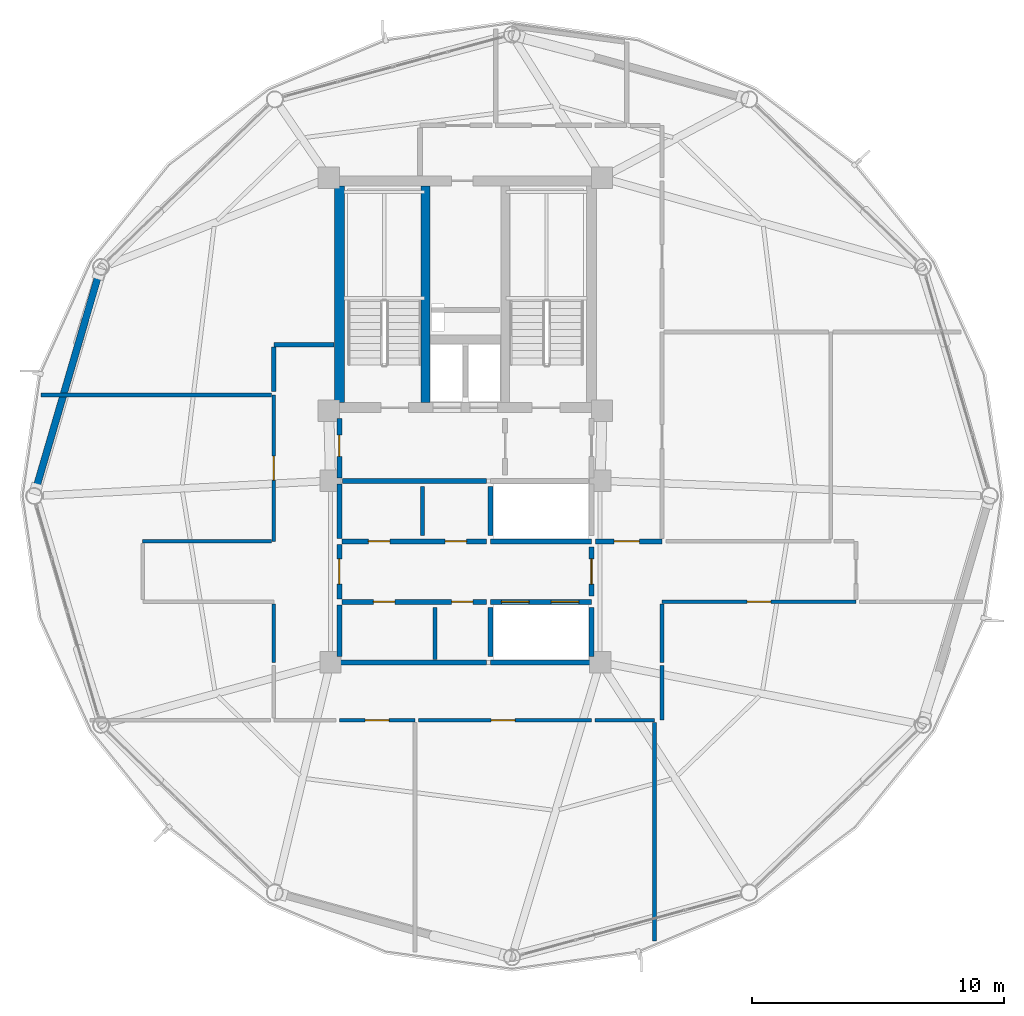
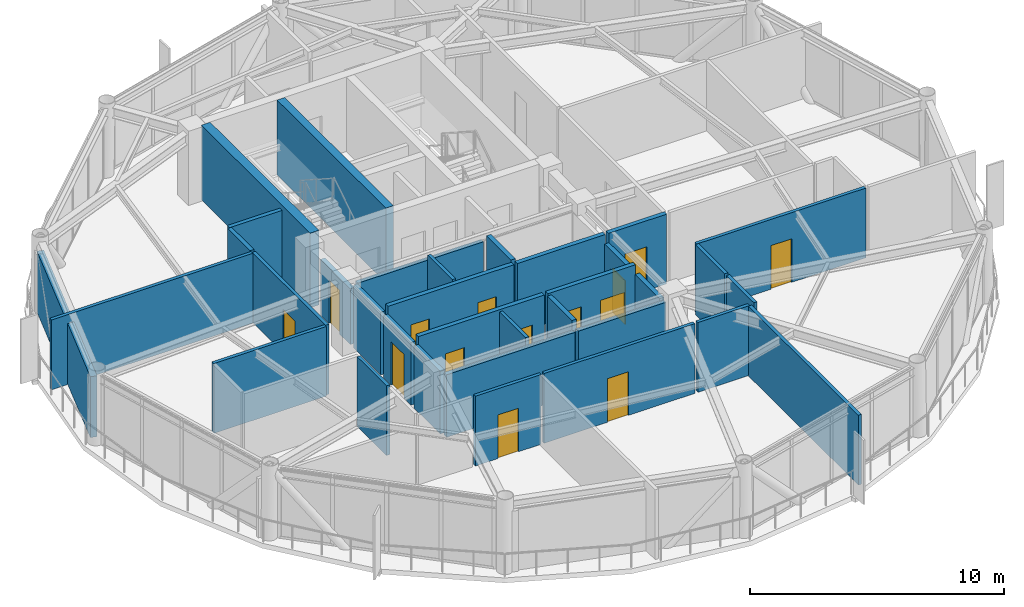
# One storey, part 21 of 26: 34 walls, 14 doors, 14 openings.
"""IFC4 building model written with IfcOpenShell, lengths in metres."""

from ifc_helpers import new_model, si_unit, direction, frame, frame_2d, origin, place, context, subcontext, project, spatial, rectangle, extrude, material, layer, layer_set, type_object, element, fill, save


model = new_model("IFC4")

# Units and contexts
model_context = context("Model", 3, precision=1e-05, world=origin(), true_north=direction((0.0, 1.0)))
body_context = subcontext(model_context, "Body", "Model", "MODEL_VIEW")
ifc_project = project(units=[si_unit("LENGTHUNIT", "METRE"), si_unit("AREAUNIT", "SQUARE_METRE"), si_unit("VOLUMEUNIT", "CUBIC_METRE"), si_unit("PLANEANGLEUNIT", "RADIAN"), si_unit("MASSUNIT", "GRAM", prefix="KILO")], contexts=[model_context])

# Site, building, storey
site_placement = place(None, origin())
site = spatial("IfcSite", under=ifc_project, at=site_placement, CompositionType="ELEMENT")
building_placement = place(site_placement, origin())
building = spatial("IfcBuilding", under=site, at=building_placement, Name="Varnakorn Sky Granary", CompositionType="ELEMENT")
storey_placement = place(building_placement, frame((0.0, 0.0, 222.0)))
storey = spatial("IfcBuildingStorey", under=building, at=storey_placement, Name="L56", CompositionType="ELEMENT", Elevation=222.0)

# Walls
ifc_material_1 = material(Name="Concrete C50/60", Category="concrete")
ifc_layer_1 = layer(ifc_material_1, 0.35009765625, Name="Concrete C50/60")
ifc_layer_set_1 = layer_set([ifc_layer_1], Name="Concrete C50/60")
wall_type_1 = type_object("IfcWallType", Name="WT-CW-INT-350", PredefinedType="SHEAR", material=ifc_layer_set_1)
wall_1_placement = place(storey_placement, frame((1.419921875, 3.7099609375, 0.0), z_axis=(0.0, 0.0, 1.0), x_axis=(0.0, 1.0, 0.0)))
element("IfcWall", 1, at=wall_1_placement, inside=storey, type_object=wall_type_1, Name="Stair ST-1 Core Wall L56", PredefinedType="SHEAR", context=body_context, shape_type="SweptSolid", body=[
    extrude(rectangle(XDim=8.580078125, YDim=0.35009765625, at=frame_2d((4.2900390625, 0.0))), origin(), (0.0, 0.0, 1.0), 3.592041015625),
])
ifc_layer_2 = layer(ifc_material_1, 0.39990234375, Name="Concrete C50/60")
ifc_layer_set_2 = layer_set([ifc_layer_2], Name="Concrete C50/60")
wall_type_2 = type_object("IfcWallType", Name="WT-CW-SHEAR-400", PredefinedType="SHEAR", material=ifc_layer_set_2)
wall_2_placement = place(storey_placement, frame((-2.0, 3.7099609375, 0.0), z_axis=(0.0, 0.0, 1.0), x_axis=(0.0, 1.0, 0.0)))
element("IfcWall", 2, at=wall_2_placement, inside=storey, type_object=wall_type_2, Name="Core West Shear Wall L56", PredefinedType="SHEAR", context=body_context, shape_type="SweptSolid", body=[
    extrude(rectangle(XDim=8.580078125, YDim=0.39990234375, at=frame_2d((4.2900390625, 0.0))), origin(), (0.0, 0.0, 1.0), 3.592041015625),
])
ifc_material_2 = material(Name="Precast concrete C40/50", Category="concrete")
ifc_layer_3 = layer(ifc_material_2, 0.280029296875, Name="Precast concrete C40/50")
ifc_layer_set_3 = layer_set([ifc_layer_3], Name="Precast concrete C40/50")
wall_type_3 = type_object("IfcWallType", Name="WT-EW-CRN-280", PredefinedType="SOLIDWALL", material=ifc_layer_set_3)
wall_3_placement = place(storey_placement, frame((-14.0390625, 0.2734375, 0.0), z_axis=(0.0, 0.0, 1.0), x_axis=(0.280756366698, 0.959779069661, 0.0)))
element("IfcWall", 3, at=wall_3_placement, inside=storey, type_object=wall_type_3, Name="Agritech Insulated Precast Facade Wall L56-P06", PredefinedType="SOLIDWALL", context=body_context, shape_type="SweptSolid", body=[
    extrude(rectangle(XDim=8.8984375, YDim=0.280029296875, at=frame_2d((4.44921875, 0.0))), origin(), (0.0, 0.0, 1.0), 2.929931640625),
])

# Wall, opening, door
ifc_material_3 = material(Name="Autoclaved Aerated Concrete Blockwork", Category="masonry")
ifc_layer_4 = layer(ifc_material_3, 0.199951171875, Name="Autoclaved Aerated Concrete Blockwork")
ifc_layer_set_4 = layer_set([ifc_layer_4], Name="Autoclaved Aerated Concrete Blockwork")
wall_type_4 = type_object("IfcWallType", Name="WT-FIRE-200", PredefinedType="MOVABLE", material=ifc_layer_set_4)
wall_4_placement = place(storey_placement, frame((-2.0, 0.719970703125, 0.0), z_axis=(0.0, 0.0, 1.0), x_axis=(0.0, 1.0, 0.0)))
wall_4 = element("IfcWall", 4, at=wall_4_placement, inside=storey, type_object=wall_type_4, Name="Interior Partition Wall L56-012", PredefinedType="MOVABLE", context=body_context, shape_type="SweptSolid", body=[
    extrude(rectangle(XDim=2.35009765625, YDim=0.199951171875, at=frame_2d((1.175048828125, 0.0))), origin(), (0.0, 0.0, 1.0), 2.69189453125),
])
opening_1_placement = place(wall_4_placement, frame((0.844970703125, 0.0, 0.0)))
opening_1 = element("IfcOpeningElement", 5, at=opening_1_placement, cuts=wall_4, Name="Opening FD-60N", PredefinedType="OPENING", context=body_context, shape_type="SweptSolid", body=[
    extrude(rectangle(XDim=0.85009765625, YDim=2.10009765625, at=frame_2d((0.425048828125, 1.050048828125))), frame((0.0, 0.10986328125, 0.0), z_axis=(0.0, -1.0, 0.0), x_axis=(1.0, 0.0, 0.0)), (0.0, 0.0, 1.0), 0.219970703125),
])
ifc_material_4 = material(Name="Acoustic Timber Fire Leaf", Category="wood")
door_type_1 = type_object("IfcDoorType", Name="DR-FD60-850", OperationType="NOTDEFINED", PredefinedType="DOOR", material=ifc_material_4)
door_1_placement = place(opening_1_placement, origin())
door_1 = element("IfcDoor", 6, at=door_1_placement, inside=storey, type_object=door_type_1, Name="Interior Door L56-012-1", OperationType="SINGLE_SWING_RIGHT", OverallHeight=2.10009765625, OverallWidth=0.85009765625, PredefinedType="DOOR", context=body_context, shape_type="SweptSolid", body=[
    extrude(rectangle(XDim=0.85009765625, YDim=2.10009765625, at=frame_2d((0.425048828125, 1.050048828125))), frame((0.0, 0.02490234375, 0.0), z_axis=(0.0, -1.0, 0.0), x_axis=(1.0, 0.0, 0.0)), (0.0, 0.0, 1.0), 0.050048828125),
])
fill(opening_1, door_1)

wall_5_placement = place(storey_placement, frame((-2.0, -4.080078125, 0.0), z_axis=(0.0, 0.0, 1.0), x_axis=(0.0, 1.0, 0.0)))
wall_5 = element("IfcWall", 7, at=wall_5_placement, inside=storey, type_object=wall_type_4, Name="Interior Partition Wall L56-014", PredefinedType="MOVABLE", context=body_context, shape_type="SweptSolid", body=[
    extrude(rectangle(XDim=2.16015625, YDim=0.199951171875, at=frame_2d((1.080078125, 0.0))), origin(), (0.0, 0.0, 1.0), 3.011962890625),
])
opening_2_placement = place(wall_5_placement, frame((0.580078125, 0.0, 0.0)))
opening_2 = element("IfcOpeningElement", 8, at=opening_2_placement, cuts=wall_5, Name="Opening FD-60", PredefinedType="OPENING", context=body_context, shape_type="SweptSolid", body=[
    extrude(rectangle(XDim=1.0, YDim=2.10009765625, at=frame_2d((0.5, 1.050048828125))), frame((0.0, 0.10986328125, 0.0), z_axis=(0.0, -1.0, 0.0), x_axis=(1.0, 0.0, 0.0)), (0.0, 0.0, 1.0), 0.219970703125),
])
door_type_2 = type_object("IfcDoorType", Name="DR-FD60-1000", OperationType="NOTDEFINED", PredefinedType="DOOR", material=ifc_material_4)
door_2_placement = place(opening_2_placement, origin())
door_2 = element("IfcDoor", 9, at=door_2_placement, inside=storey, type_object=door_type_2, Name="Interior Door L56-014-1", OperationType="SINGLE_SWING_RIGHT", OverallHeight=2.10009765625, OverallWidth=1.0, PredefinedType="DOOR", context=body_context, shape_type="SweptSolid", body=[
    extrude(rectangle(XDim=1.0, YDim=2.10009765625, at=frame_2d((0.5, 1.050048828125))), frame((0.0, 0.02490234375, 0.0), z_axis=(0.0, -1.0, 0.0), x_axis=(1.0, 0.0, 0.0)), (0.0, 0.0, 1.0), 0.050048828125),
])
fill(opening_2, door_2)

wall_6_placement = place(storey_placement, frame((8.0, -3.969970703125, 0.0), z_axis=(0.0, 0.0, 1.0), x_axis=(0.0, 1.0, 0.0)))
wall_6 = element("IfcWall", 10, at=wall_6_placement, inside=storey, type_object=wall_type_4, Name="Interior Partition Wall L56-015", PredefinedType="MOVABLE", context=body_context, shape_type="SweptSolid", body=[
    extrude(rectangle(XDim=1.93994140625, YDim=0.199951171875, at=frame_2d((0.969970703125, 0.0))), origin(), (0.0, 0.0, 1.0), 3.011962890625),
])
opening_3_placement = place(wall_6_placement, frame((0.469970703125, 0.0, 0.0)))
opening_3 = element("IfcOpeningElement", 11, at=opening_3_placement, cuts=wall_6, Name="Opening FD-60", PredefinedType="OPENING", context=body_context, shape_type="SweptSolid", body=[
    extrude(rectangle(XDim=1.0, YDim=2.10009765625, at=frame_2d((0.5, 1.050048828125))), frame((0.0, 0.10986328125, 0.0), z_axis=(0.0, -1.0, 0.0), x_axis=(1.0, 0.0, 0.0)), (0.0, 0.0, 1.0), 0.219970703125),
])
door_3_placement = place(opening_3_placement, origin())
door_3 = element("IfcDoor", 12, at=door_3_placement, inside=storey, type_object=door_type_2, Name="Interior Door L56-015-1", OperationType="SINGLE_SWING_LEFT", OverallHeight=2.10009765625, OverallWidth=1.0, PredefinedType="DOOR", context=body_context, shape_type="SweptSolid", body=[
    extrude(rectangle(XDim=1.0, YDim=2.10009765625, at=frame_2d((0.5, 1.050048828125))), frame((0.0, 0.02490234375, 0.0), z_axis=(0.0, -1.0, 0.0), x_axis=(1.0, 0.0, 0.0)), (0.0, 0.0, 1.0), 0.050048828125),
])
fill(opening_3, door_3)

# Wall, openings, doors
wall_7_placement = place(storey_placement, frame((-1.889892578125, -1.800048828125, 0.0), z_axis=(0.0, 0.0, 1.0), x_axis=(1.0, 0.0, 0.0)))
wall_7 = element("IfcWall", 13, at=wall_7_placement, inside=storey, type_object=wall_type_4, Name="Interior Partition Wall L56-016", PredefinedType="MOVABLE", context=body_context, shape_type="SweptSolid", body=[
    extrude(rectangle(XDim=5.72998046875, YDim=0.199951171875, at=frame_2d((2.864990234375, 0.0))), origin(), (0.0, 0.0, 1.0), 3.360107421875),
])
opening_4_placement = place(wall_7_placement, frame((1.0400390625, 0.0, 0.0)))
opening_4 = element("IfcOpeningElement", 14, at=opening_4_placement, cuts=wall_7, Name="Opening FD-60N", PredefinedType="OPENING", context=body_context, shape_type="SweptSolid", body=[
    extrude(rectangle(XDim=0.85009765625, YDim=2.10009765625, at=frame_2d((0.425048828125, 1.050048828125))), frame((0.0, 0.10986328125, 0.0), z_axis=(0.0, -1.0, 0.0), x_axis=(1.0, 0.0, 0.0)), (0.0, 0.0, 1.0), 0.219970703125),
])
opening_5_placement = place(wall_7_placement, frame((4.090087890625, 0.0, 0.0)))
opening_5 = element("IfcOpeningElement", 15, at=opening_5_placement, cuts=wall_7, Name="Opening FD-60N", PredefinedType="OPENING", context=body_context, shape_type="SweptSolid", body=[
    extrude(rectangle(XDim=0.85009765625, YDim=2.10009765625, at=frame_2d((0.425048828125, 1.050048828125))), frame((0.0, 0.10986328125, 0.0), z_axis=(0.0, -1.0, 0.0), x_axis=(1.0, 0.0, 0.0)), (0.0, 0.0, 1.0), 0.219970703125),
])
door_4_placement = place(opening_4_placement, origin())
door_4 = element("IfcDoor", 16, at=door_4_placement, inside=storey, type_object=door_type_1, Name="Interior Door L56-016-1", OperationType="SINGLE_SWING_RIGHT", OverallHeight=2.10009765625, OverallWidth=0.85009765625, PredefinedType="DOOR", context=body_context, shape_type="SweptSolid", body=[
    extrude(rectangle(XDim=0.85009765625, YDim=2.10009765625, at=frame_2d((0.425048828125, 1.050048828125))), frame((0.0, 0.02490234375, 0.0), z_axis=(0.0, -1.0, 0.0), x_axis=(1.0, 0.0, 0.0)), (0.0, 0.0, 1.0), 0.050048828125),
])
fill(opening_4, door_4)
door_5_placement = place(opening_5_placement, origin())
door_5 = element("IfcDoor", 17, at=door_5_placement, inside=storey, type_object=door_type_1, Name="Interior Door L56-016-2", OperationType="SINGLE_SWING_LEFT", OverallHeight=2.10009765625, OverallWidth=0.85009765625, PredefinedType="DOOR", context=body_context, shape_type="SweptSolid", body=[
    extrude(rectangle(XDim=0.85009765625, YDim=2.10009765625, at=frame_2d((0.425048828125, 1.050048828125))), frame((0.0, 0.02490234375, 0.0), z_axis=(0.0, -1.0, 0.0), x_axis=(1.0, 0.0, 0.0)), (0.0, 0.0, 1.0), 0.050048828125),
])
fill(opening_5, door_5)

wall_8_placement = place(storey_placement, frame((-1.889892578125, -4.199951171875, 0.0), z_axis=(0.0, 0.0, 1.0), x_axis=(1.0, 0.0, 0.0)))
wall_8 = element("IfcWall", 18, at=wall_8_placement, inside=storey, type_object=wall_type_4, Name="Interior Partition Wall L56-017", PredefinedType="MOVABLE", context=body_context, shape_type="SweptSolid", body=[
    extrude(rectangle(XDim=5.72998046875, YDim=0.199951171875, at=frame_2d((2.864990234375, 0.0))), origin(), (0.0, 0.0, 1.0), 3.360107421875),
])
opening_6_placement = place(wall_8_placement, frame((1.239990234375, 0.0, 0.0)))
opening_6 = element("IfcOpeningElement", 19, at=opening_6_placement, cuts=wall_8, Name="Opening FD-60N", PredefinedType="OPENING", context=body_context, shape_type="SweptSolid", body=[
    extrude(rectangle(XDim=0.85009765625, YDim=2.10009765625, at=frame_2d((0.425048828125, 1.050048828125))), frame((0.0, 0.10986328125, 0.0), z_axis=(0.0, -1.0, 0.0), x_axis=(1.0, 0.0, 0.0)), (0.0, 0.0, 1.0), 0.219970703125),
])
opening_7_placement = place(wall_8_placement, frame((4.340087890625, 0.0, 0.0)))
opening_7 = element("IfcOpeningElement", 20, at=opening_7_placement, cuts=wall_8, Name="Opening FD-60N", PredefinedType="OPENING", context=body_context, shape_type="SweptSolid", body=[
    extrude(rectangle(XDim=0.85009765625, YDim=2.10009765625, at=frame_2d((0.425048828125, 1.050048828125))), frame((0.0, 0.10986328125, 0.0), z_axis=(0.0, -1.0, 0.0), x_axis=(1.0, 0.0, 0.0)), (0.0, 0.0, 1.0), 0.219970703125),
])
door_6_placement = place(opening_6_placement, origin())
door_6 = element("IfcDoor", 21, at=door_6_placement, inside=storey, type_object=door_type_1, Name="Interior Door L56-017-1", OperationType="SINGLE_SWING_RIGHT", OverallHeight=2.10009765625, OverallWidth=0.85009765625, PredefinedType="DOOR", context=body_context, shape_type="SweptSolid", body=[
    extrude(rectangle(XDim=0.85009765625, YDim=2.10009765625, at=frame_2d((0.425048828125, 1.050048828125))), frame((0.0, 0.02490234375, 0.0), z_axis=(0.0, -1.0, 0.0), x_axis=(1.0, 0.0, 0.0)), (0.0, 0.0, 1.0), 0.050048828125),
])
fill(opening_6, door_6)
door_7_placement = place(opening_7_placement, origin())
door_7 = element("IfcDoor", 22, at=door_7_placement, inside=storey, type_object=door_type_1, Name="Interior Door L56-017-2", OperationType="SINGLE_SWING_LEFT", OverallHeight=2.10009765625, OverallWidth=0.85009765625, PredefinedType="DOOR", context=body_context, shape_type="SweptSolid", body=[
    extrude(rectangle(XDim=0.85009765625, YDim=2.10009765625, at=frame_2d((0.425048828125, 1.050048828125))), frame((0.0, 0.02490234375, 0.0), z_axis=(0.0, -1.0, 0.0), x_axis=(1.0, 0.0, 0.0)), (0.0, 0.0, 1.0), 0.050048828125),
])
fill(opening_7, door_7)

# Wall, opening, door
wall_9_placement = place(storey_placement, frame((8.159912109375, -1.800048828125, 0.0), z_axis=(0.0, 0.0, 1.0), x_axis=(1.0, 0.0, 0.0)))
wall_9 = element("IfcWall", 23, at=wall_9_placement, inside=storey, type_object=wall_type_4, Name="Interior Partition Wall L56-018", PredefinedType="MOVABLE", context=body_context, shape_type="SweptSolid", body=[
    extrude(rectangle(XDim=2.64013671875, YDim=0.199951171875, at=frame_2d((1.320068359375, 0.0))), origin(), (0.0, 0.0, 1.0), 3.360107421875),
])
opening_8_placement = place(wall_9_placement, frame((0.739990234375, 0.0, 0.0)))
opening_8 = element("IfcOpeningElement", 24, at=opening_8_placement, cuts=wall_9, Name="Opening FD-60", PredefinedType="OPENING", context=body_context, shape_type="SweptSolid", body=[
    extrude(rectangle(XDim=1.0, YDim=2.10009765625, at=frame_2d((0.5, 1.050048828125))), frame((0.0, 0.10986328125, 0.0), z_axis=(0.0, -1.0, 0.0), x_axis=(1.0, 0.0, 0.0)), (0.0, 0.0, 1.0), 0.219970703125),
])
door_8_placement = place(opening_8_placement, origin())
door_8 = element("IfcDoor", 25, at=door_8_placement, inside=storey, type_object=door_type_2, Name="Interior Door L56-018-1", OperationType="SINGLE_SWING_RIGHT", OverallHeight=2.10009765625, OverallWidth=1.0, PredefinedType="DOOR", context=body_context, shape_type="SweptSolid", body=[
    extrude(rectangle(XDim=1.0, YDim=2.10009765625, at=frame_2d((0.5, 1.050048828125))), frame((0.0, 0.02490234375, 0.0), z_axis=(0.0, -1.0, 0.0), x_axis=(1.0, 0.0, 0.0)), (0.0, 0.0, 1.0), 0.050048828125),
])
fill(opening_8, door_8)

# Walls
wall_10_placement = place(storey_placement, frame((-1.8798828125, 0.60009765625, 0.0), z_axis=(0.0, 0.0, 1.0), x_axis=(1.0, 0.0, 0.0)))
element("IfcWall", 26, at=wall_10_placement, inside=storey, type_object=wall_type_4, Name="Interior Partition Wall L56-028", PredefinedType="MOVABLE", context=body_context, shape_type="SweptSolid", body=[
    extrude(rectangle(XDim=5.719970703125, YDim=0.199951171875, at=frame_2d((2.85986328125, 0.0))), origin(), (0.0, 0.0, 1.0), 3.011962890625),
])
wall_11_placement = place(storey_placement, frame((-2.0, -1.679931640625, 0.0), z_axis=(0.0, 0.0, 1.0), x_axis=(0.0, 1.0, 0.0)))
element("IfcWall", 27, at=wall_11_placement, inside=storey, type_object=wall_type_4, Name="Interior Partition Wall L56-030", PredefinedType="MOVABLE", context=body_context, shape_type="SweptSolid", body=[
    extrude(rectangle(XDim=2.159912109375, YDim=0.199951171875, at=frame_2d((1.080078125, 0.0))), origin(), (0.0, 0.0, 1.0), 3.011962890625),
])
wall_12_placement = place(storey_placement, frame((-2.0, -6.60009765625, 0.0), z_axis=(0.0, 0.0, 1.0), x_axis=(1.0, 0.0, 0.0)))
element("IfcWall", 28, at=wall_12_placement, inside=storey, type_object=wall_type_4, Name="Interior Partition Wall L56-032", PredefinedType="MOVABLE", context=body_context, shape_type="SweptSolid", body=[
    extrude(rectangle(XDim=5.840087890625, YDim=0.199951171875, at=frame_2d((2.919921875, 0.0))), origin(), (0.0, 0.0, 1.0), 3.011962890625),
])
wall_13_placement = place(storey_placement, frame((-2.0, -6.3701171875, 0.0), z_axis=(0.0, 0.0, 1.0), x_axis=(0.0, 1.0, 0.0)))
element("IfcWall", 29, at=wall_13_placement, inside=storey, type_object=wall_type_4, Name="Interior Partition Wall L56-033", PredefinedType="MOVABLE", context=body_context, shape_type="SweptSolid", body=[
    extrude(rectangle(XDim=2.050048828125, YDim=0.199951171875, at=frame_2d((1.02490234375, 0.0))), origin(), (0.0, 0.0, 1.0), 3.011962890625),
])

# Wall, opening, door
ifc_material_5 = material(Name="Gypsum Plasterboard on Steel Stud", Category="steel")
ifc_layer_5 = layer(ifc_material_5, 0.14990234375, Name="Gypsum Plasterboard on Steel Stud")
ifc_layer_set_5 = layer_set([ifc_layer_5], Name="Gypsum Plasterboard on Steel Stud")
wall_type_5 = type_object("IfcWallType", Name="WT-PART-150", PredefinedType="PARTITIONING", material=ifc_layer_set_5)
wall_14_placement = place(storey_placement, frame((-2.0, -8.89990234375, 0.0), z_axis=(0.0, 0.0, 1.0), x_axis=(1.0, 0.0, 0.0)))
wall_14 = element("IfcWall", 30, at=wall_14_placement, inside=storey, type_object=wall_type_5, Name="Interior Partition Wall L56-020", PredefinedType="PARTITIONING", context=body_context, shape_type="SweptSolid", body=[
    extrude(rectangle(XDim=3.0, YDim=0.14990234375, at=frame_2d((1.5, 0.0))), origin(), (0.0, 0.0, 1.0), 3.360107421875),
])
opening_9_placement = place(wall_14_placement, frame((1.02490234375, 0.0, 0.0)))
opening_9 = element("IfcOpeningElement", 31, at=opening_9_placement, cuts=wall_14, Name="Opening ID-95", PredefinedType="OPENING", context=body_context, shape_type="SweptSolid", body=[
    extrude(rectangle(XDim=0.949951171875, YDim=2.10009765625, at=frame_2d((0.47509765625, 1.050048828125))), frame((0.0, 0.0849609375, 0.0), z_axis=(0.0, -1.0, 0.0), x_axis=(1.0, 0.0, 0.0)), (0.0, 0.0, 1.0), 0.169921875),
])
ifc_material_6 = material(Name="Solid-Core Teak Veneer Leaf", Category="timber")
door_type_3 = type_object("IfcDoorType", Name="DR-INT-950", OperationType="NOTDEFINED", PredefinedType="DOOR", material=ifc_material_6)
door_9_placement = place(opening_9_placement, origin())
door_9 = element("IfcDoor", 32, at=door_9_placement, inside=storey, type_object=door_type_3, Name="Interior Door L56-020-1", OperationType="SINGLE_SWING_RIGHT", OverallHeight=2.10009765625, OverallWidth=0.949951171875, PredefinedType="DOOR", context=body_context, shape_type="SweptSolid", body=[
    extrude(rectangle(XDim=0.949951171875, YDim=2.10009765625, at=frame_2d((0.47509765625, 1.050048828125))), frame((0.0, 0.02490234375, 0.0), z_axis=(0.0, -1.0, 0.0), x_axis=(1.0, 0.0, 0.0)), (0.0, 0.0, 1.0), 0.050048828125),
])
fill(opening_9, door_9)

wall_15_placement = place(storey_placement, frame((1.135009765625, -8.89990234375, 0.0), z_axis=(0.0, 0.0, 1.0), x_axis=(1.0, 0.0, 0.0)))
wall_15 = element("IfcWall", 33, at=wall_15_placement, inside=storey, type_object=wall_type_5, Name="Interior Partition Wall L56-021", PredefinedType="PARTITIONING", context=body_context, shape_type="SweptSolid", body=[
    extrude(rectangle(XDim=6.864990234375, YDim=0.14990234375, at=frame_2d((3.4326171875, 0.0))), origin(), (0.0, 0.0, 1.0), 3.360107421875),
])
opening_10_placement = place(wall_15_placement, frame((2.889892578125, 0.0, 0.0)))
opening_10 = element("IfcOpeningElement", 34, at=opening_10_placement, cuts=wall_15, Name="Opening ID-95", PredefinedType="OPENING", context=body_context, shape_type="SweptSolid", body=[
    extrude(rectangle(XDim=0.949951171875, YDim=2.10009765625, at=frame_2d((0.47509765625, 1.050048828125))), frame((0.0, 0.0849609375, 0.0), z_axis=(0.0, -1.0, 0.0), x_axis=(1.0, 0.0, 0.0)), (0.0, 0.0, 1.0), 0.169921875),
])
door_10_placement = place(opening_10_placement, origin())
door_10 = element("IfcDoor", 35, at=door_10_placement, inside=storey, type_object=door_type_3, Name="Interior Door L56-021-1", OperationType="SINGLE_SWING_LEFT", OverallHeight=2.10009765625, OverallWidth=0.949951171875, PredefinedType="DOOR", context=body_context, shape_type="SweptSolid", body=[
    extrude(rectangle(XDim=0.949951171875, YDim=2.10009765625, at=frame_2d((0.47509765625, 1.050048828125))), frame((0.0, 0.02490234375, 0.0), z_axis=(0.0, -1.0, 0.0), x_axis=(1.0, 0.0, 0.0)), (0.0, 0.0, 1.0), 0.050048828125),
])
fill(opening_10, door_10)

wall_16_placement = place(storey_placement, frame((10.800048828125, -4.199951171875, 0.0), z_axis=(0.0, 0.0, 1.0), x_axis=(1.0, 0.0, 0.0)))
wall_16 = element("IfcWall", 36, at=wall_16_placement, inside=storey, type_object=wall_type_5, Name="Interior Partition Wall L56-022", PredefinedType="PARTITIONING", context=body_context, shape_type="SweptSolid", body=[
    extrude(rectangle(XDim=7.699951171875, YDim=0.14990234375, at=frame_2d((3.85009765625, 0.0))), origin(), (0.0, 0.0, 1.0), 3.360107421875),
])
opening_11_placement = place(wall_16_placement, frame((3.375, 0.0, 0.0)))
opening_11 = element("IfcOpeningElement", 37, at=opening_11_placement, cuts=wall_16, Name="Opening ID-95", PredefinedType="OPENING", context=body_context, shape_type="SweptSolid", body=[
    extrude(rectangle(XDim=0.949951171875, YDim=2.10009765625, at=frame_2d((0.47509765625, 1.050048828125))), frame((0.0, 0.0849609375, 0.0), z_axis=(0.0, -1.0, 0.0), x_axis=(1.0, 0.0, 0.0)), (0.0, 0.0, 1.0), 0.169921875),
])
door_11_placement = place(opening_11_placement, origin())
door_11 = element("IfcDoor", 38, at=door_11_placement, inside=storey, type_object=door_type_3, Name="Interior Door L56-022-1", OperationType="SINGLE_SWING_RIGHT", OverallHeight=2.10009765625, OverallWidth=0.949951171875, PredefinedType="DOOR", context=body_context, shape_type="SweptSolid", body=[
    extrude(rectangle(XDim=0.949951171875, YDim=2.10009765625, at=frame_2d((0.47509765625, 1.050048828125))), frame((0.0, 0.02490234375, 0.0), z_axis=(0.0, -1.0, 0.0), x_axis=(1.0, 0.0, 0.0)), (0.0, 0.0, 1.0), 0.050048828125),
])
fill(opening_11, door_11)

wall_17_placement = place(storey_placement, frame((-4.60009765625, 4.0, 0.0), z_axis=(0.0, 0.0, 1.0), x_axis=(0.0, -1.0, 0.0)))
wall_17 = element("IfcWall", 39, at=wall_17_placement, inside=storey, type_object=wall_type_5, Name="Interior Partition Wall L56-023", PredefinedType="PARTITIONING", context=body_context, shape_type="SweptSolid", body=[
    extrude(rectangle(XDim=5.800048828125, YDim=0.14990234375, at=frame_2d((2.89990234375, 0.0))), origin(), (0.0, 0.0, 1.0), 3.360107421875),
])
opening_12_placement = place(wall_17_placement, frame((2.425048828125, 0.0, 0.0)))
opening_12 = element("IfcOpeningElement", 40, at=opening_12_placement, cuts=wall_17, Name="Opening ID-95", PredefinedType="OPENING", context=body_context, shape_type="SweptSolid", body=[
    extrude(rectangle(XDim=0.949951171875, YDim=2.10009765625, at=frame_2d((0.47509765625, 1.050048828125))), frame((0.0, 0.0849609375, 0.0), z_axis=(0.0, -1.0, 0.0), x_axis=(1.0, 0.0, 0.0)), (0.0, 0.0, 1.0), 0.169921875),
])
door_12_placement = place(opening_12_placement, origin())
door_12 = element("IfcDoor", 41, at=door_12_placement, inside=storey, type_object=door_type_3, Name="Interior Door L56-023-1", OperationType="SINGLE_SWING_LEFT", OverallHeight=2.10009765625, OverallWidth=0.949951171875, PredefinedType="DOOR", context=body_context, shape_type="SweptSolid", body=[
    extrude(rectangle(XDim=0.949951171875, YDim=2.10009765625, at=frame_2d((0.47509765625, 1.050048828125))), frame((0.0, 0.02490234375, 0.0), z_axis=(0.0, -1.0, 0.0), x_axis=(1.0, 0.0, 0.0)), (0.0, 0.0, 1.0), 0.050048828125),
])
fill(opening_12, door_12)

# Walls
wall_18_placement = place(storey_placement, frame((1.300048828125, -1.570068359375, 0.0), z_axis=(0.0, 0.0, 1.0), x_axis=(0.0, 1.0, 0.0)))
element("IfcWall", 42, at=wall_18_placement, inside=storey, type_object=wall_type_5, Name="Interior Partition Wall L56-029", PredefinedType="PARTITIONING", context=body_context, shape_type="SweptSolid", body=[
    extrude(rectangle(XDim=1.940185546875, YDim=0.14990234375, at=frame_2d((0.97021484375, 0.0))), origin(), (0.0, 0.0, 1.0), 3.360107421875),
])
wall_19_placement = place(storey_placement, frame((1.800048828125, -6.47998046875, 0.0), z_axis=(0.0, 0.0, 1.0), x_axis=(0.0, 1.0, 0.0)))
element("IfcWall", 43, at=wall_19_placement, inside=storey, type_object=wall_type_5, Name="Interior Partition Wall L56-031", PredefinedType="PARTITIONING", context=body_context, shape_type="SweptSolid", body=[
    extrude(rectangle(XDim=2.050048828125, YDim=0.14990234375, at=frame_2d((1.02490234375, 0.0))), origin(), (0.0, 0.0, 1.0), 3.360107421875),
])
wall_20_placement = place(storey_placement, frame((8.135009765625, -8.89990234375, 0.0), z_axis=(0.0, 0.0, 1.0), x_axis=(1.0, 0.0, 0.0)))
element("IfcWall", 44, at=wall_20_placement, inside=storey, type_object=wall_type_5, Name="Interior Partition Wall L56-038", PredefinedType="PARTITIONING", context=body_context, shape_type="SweptSolid", body=[
    extrude(rectangle(XDim=2.364990234375, YDim=0.14990234375, at=frame_2d((1.1826171875, 0.0))), origin(), (0.0, 0.0, 1.0), 3.360107421875),
])
wall_21_placement = place(storey_placement, frame((10.5, -8.985107421875, 0.0), z_axis=(0.0, 0.0, 1.0), x_axis=(0.0, -1.0, 0.0)))
element("IfcWall", 45, at=wall_21_placement, inside=storey, type_object=wall_type_5, Name="Interior Partition Wall L56-039", PredefinedType="PARTITIONING", context=body_context, shape_type="SweptSolid", body=[
    extrude(rectangle(XDim=8.673828125, YDim=0.14990234375, at=frame_2d((4.3369140625, 0.0))), origin(), (0.0, 0.0, 1.0), 3.360107421875),
])
wall_22_placement = place(storey_placement, frame((10.800048828125, -6.60009765625, 0.0), z_axis=(0.0, 0.0, 1.0), x_axis=(0.0, 1.0, 0.0)))
element("IfcWall", 46, at=wall_22_placement, inside=storey, type_object=wall_type_5, Name="Interior Partition Wall L56-040", PredefinedType="PARTITIONING", context=body_context, shape_type="SweptSolid", body=[
    extrude(rectangle(XDim=2.315185546875, YDim=0.14990234375, at=frame_2d((1.15771484375, 0.0))), origin(), (0.0, 0.0, 1.0), 3.360107421875),
])
wall_23_placement = place(storey_placement, frame((10.800048828125, -8.89990234375, 0.0), z_axis=(0.0, 0.0, 1.0), x_axis=(0.0, 1.0, 0.0)))
element("IfcWall", 47, at=wall_23_placement, inside=storey, type_object=wall_type_5, Name="Interior Partition Wall L56-041", PredefinedType="PARTITIONING", context=body_context, shape_type="SweptSolid", body=[
    extrude(rectangle(XDim=2.164794921875, YDim=0.14990234375, at=frame_2d((1.08251953125, 0.0))), origin(), (0.0, 0.0, 1.0), 3.360107421875),
])
wall_24_placement = place(storey_placement, frame((-4.68505859375, -1.800048828125, 0.0), z_axis=(0.0, 0.0, 1.0), x_axis=(-1.0, 0.0, 0.0)))
element("IfcWall", 48, at=wall_24_placement, inside=storey, type_object=wall_type_5, Name="Interior Partition Wall L56-043", PredefinedType="PARTITIONING", context=body_context, shape_type="SweptSolid", body=[
    extrude(rectangle(XDim=5.114990234375, YDim=0.14990234375, at=frame_2d((2.5576171875, 0.0))), origin(), (0.0, 0.0, 1.0), 3.360107421875),
])
wall_25_placement = place(storey_placement, frame((-4.60009765625, -4.284912109375, 0.0), z_axis=(0.0, 0.0, 1.0), x_axis=(0.0, -1.0, 0.0)))
element("IfcWall", 49, at=wall_25_placement, inside=storey, type_object=wall_type_5, Name="Interior Partition Wall L56-046", PredefinedType="PARTITIONING", context=body_context, shape_type="SweptSolid", body=[
    extrude(rectangle(XDim=2.315185546875, YDim=0.14990234375, at=frame_2d((1.15771484375, 0.0))), origin(), (0.0, 0.0, 1.0), 3.360107421875),
])
wall_26_placement = place(storey_placement, frame((-13.845947265625, 4.0, 0.0), z_axis=(0.0, 0.0, 1.0), x_axis=(1.0, 0.0, 0.0)))
element("IfcWall", 50, at=wall_26_placement, inside=storey, type_object=wall_type_5, Name="Interior Partition Wall L56-048", PredefinedType="PARTITIONING", context=body_context, shape_type="SweptSolid", body=[
    extrude(rectangle(XDim=9.160888671875, YDim=0.14990234375, at=frame_2d((4.58056640625, 0.0))), origin(), (0.0, 0.0, 1.0), 3.360107421875),
])
ifc_material_7 = material(Name="Moisture-Resistant Gypsum on Stud", Category="gypsum")
ifc_layer_6 = layer(ifc_material_7, 0.179931640625, Name="Moisture-Resistant Gypsum on Stud")
ifc_layer_set_6 = layer_set([ifc_layer_6], Name="Moisture-Resistant Gypsum on Stud")
wall_type_6 = type_object("IfcWallType", Name="WT-PLUMB-180", PredefinedType="PLUMBINGWALL", material=ifc_layer_set_6)
wall_27_placement = place(storey_placement, frame((-2.2099609375, 6.0, 0.0), z_axis=(0.0, 0.0, 1.0), x_axis=(-1.0, 0.0, 0.0)))
element("IfcWall", 51, at=wall_27_placement, inside=storey, type_object=wall_type_6, Name="Interior Partition Wall L56-050", PredefinedType="PLUMBINGWALL", context=body_context, shape_type="SweptSolid", body=[
    extrude(rectangle(XDim=2.39013671875, YDim=0.179931640625, at=frame_2d((1.195068359375, 0.0))), origin(), (0.0, 0.0, 1.0), 3.360107421875),
])
wall_28_placement = place(storey_placement, frame((-4.60009765625, 5.89990234375, 0.0), z_axis=(0.0, 0.0, 1.0), x_axis=(0.0, -1.0, 0.0)))
element("IfcWall", 52, at=wall_28_placement, inside=storey, type_object=wall_type_6, Name="Interior Partition Wall L56-051", PredefinedType="PLUMBINGWALL", context=body_context, shape_type="SweptSolid", body=[
    extrude(rectangle(XDim=1.764892578125, YDim=0.179931640625, at=frame_2d((0.88232421875, 0.0))), origin(), (0.0, 0.0, 1.0), 3.360107421875),
])
ifc_layer_7 = layer(ifc_material_3, 0.199951171875, Name="Autoclaved Aerated Concrete Blockwork")
ifc_layer_set_7 = layer_set([ifc_layer_7], Name="Autoclaved Aerated Concrete Blockwork")
wall_type_7 = type_object("IfcWallType", Name="WT-SHAFT-200", PredefinedType="SOLIDWALL", material=ifc_layer_set_7)
wall_29_placement = place(storey_placement, frame((4.0, -1.800048828125, 0.0), z_axis=(0.0, 0.0, 1.0), x_axis=(1.0, 0.0, 0.0)))
element("IfcWall", 53, at=wall_29_placement, inside=storey, type_object=wall_type_7, Name="Interior Partition Wall L56-004", PredefinedType="SOLIDWALL", context=body_context, shape_type="SweptSolid", body=[
    extrude(rectangle(XDim=4.0, YDim=0.199951171875, at=frame_2d((2.0, 0.0))), origin(), (0.0, 0.0, 1.0), 3.360107421875),
])
wall_30_placement = place(storey_placement, frame((4.0, -1.570068359375, 0.0), z_axis=(0.0, 0.0, 1.0), x_axis=(0.0, 1.0, 0.0)))
element("IfcWall", 54, at=wall_30_placement, inside=storey, type_object=wall_type_7, Name="Interior Partition Wall L56-005", PredefinedType="SOLIDWALL", context=body_context, shape_type="SweptSolid", body=[
    extrude(rectangle(XDim=1.940185546875, YDim=0.199951171875, at=frame_2d((0.97021484375, 0.0))), origin(), (0.0, 0.0, 1.0), 3.360107421875),
])

# Wall, openings, doors
wall_31_placement = place(storey_placement, frame((4.0, -4.199951171875, 0.0), z_axis=(0.0, 0.0, 1.0), x_axis=(1.0, 0.0, 0.0)))
wall_31 = element("IfcWall", 55, at=wall_31_placement, inside=storey, type_object=wall_type_7, Name="Interior Partition Wall L56-007", PredefinedType="SOLIDWALL", context=body_context, shape_type="SweptSolid", body=[
    extrude(rectangle(XDim=4.0, YDim=0.199951171875, at=frame_2d((2.0, 0.0))), origin(), (0.0, 0.0, 1.0), 3.360107421875),
])
opening_13_placement = place(wall_31_placement, frame((0.429931640625, 0.0, 0.0)))
opening_13 = element("IfcOpeningElement", 56, at=opening_13_placement, cuts=wall_31, Name="Opening LD-01", PredefinedType="OPENING", context=body_context, shape_type="SweptSolid", body=[
    extrude(rectangle(XDim=1.10009765625, YDim=2.199951171875, at=frame_2d((0.550048828125, 1.10009765625))), frame((0.0, 0.10986328125, 0.0), z_axis=(0.0, -1.0, 0.0), x_axis=(1.0, 0.0, 0.0)), (0.0, 0.0, 1.0), 0.219970703125),
])
opening_14_placement = place(wall_31_placement, frame((2.39990234375, 0.0, 0.0)))
opening_14 = element("IfcOpeningElement", 57, at=opening_14_placement, cuts=wall_31, Name="Opening LD-01", PredefinedType="OPENING", context=body_context, shape_type="SweptSolid", body=[
    extrude(rectangle(XDim=1.10009765625, YDim=2.199951171875, at=frame_2d((0.550048828125, 1.10009765625))), frame((0.0, 0.10986328125, 0.0), z_axis=(0.0, -1.0, 0.0), x_axis=(1.0, 0.0, 0.0)), (0.0, 0.0, 1.0), 0.219970703125),
])
ifc_material_8 = material(Name="Brushed Bronze Stainless Steel", Category="steel")
door_type_4 = type_object("IfcDoorType", Name="DR-LD-1100", OperationType="DOUBLE_DOOR_SLIDING", PredefinedType="DOOR", material=ifc_material_8)
door_13_placement = place(opening_13_placement, origin())
door_13 = element("IfcDoor", 58, at=door_13_placement, inside=storey, type_object=door_type_4, Name="Passenger Lift PL-H1 Sliding Landing Door L56", OperationType="DOUBLE_DOOR_SLIDING", OverallHeight=2.199951171875, OverallWidth=1.10009765625, PredefinedType="DOOR", context=body_context, shape_type="SweptSolid", body=[
    extrude(rectangle(XDim=1.10009765625, YDim=2.199951171875, at=frame_2d((0.550048828125, 1.10009765625))), frame((0.0, 0.02490234375, 0.0), z_axis=(0.0, -1.0, 0.0), x_axis=(1.0, 0.0, 0.0)), (0.0, 0.0, 1.0), 0.050048828125),
])
fill(opening_13, door_13)
door_14_placement = place(opening_14_placement, origin())
door_14 = element("IfcDoor", 59, at=door_14_placement, inside=storey, type_object=door_type_4, Name="Passenger Lift PL-H2 Sliding Landing Door L56", OperationType="DOUBLE_DOOR_SLIDING", OverallHeight=2.199951171875, OverallWidth=1.10009765625, PredefinedType="DOOR", context=body_context, shape_type="SweptSolid", body=[
    extrude(rectangle(XDim=1.10009765625, YDim=2.199951171875, at=frame_2d((0.550048828125, 1.10009765625))), frame((0.0, 0.02490234375, 0.0), z_axis=(0.0, -1.0, 0.0), x_axis=(1.0, 0.0, 0.0)), (0.0, 0.0, 1.0), 0.050048828125),
])
fill(opening_14, door_14)

# Walls
wall_32_placement = place(storey_placement, frame((4.0, -6.60009765625, 0.0), z_axis=(0.0, 0.0, 1.0), x_axis=(1.0, 0.0, 0.0)))
element("IfcWall", 60, at=wall_32_placement, inside=storey, type_object=wall_type_7, Name="Interior Partition Wall L56-008", PredefinedType="SOLIDWALL", context=body_context, shape_type="SweptSolid", body=[
    extrude(rectangle(XDim=4.0, YDim=0.199951171875, at=frame_2d((2.0, 0.0))), origin(), (0.0, 0.0, 1.0), 3.011962890625),
])
wall_33_placement = place(storey_placement, frame((4.0, -6.3701171875, 0.0), z_axis=(0.0, 0.0, 1.0), x_axis=(0.0, 1.0, 0.0)))
element("IfcWall", 61, at=wall_33_placement, inside=storey, type_object=wall_type_7, Name="Interior Partition Wall L56-009", PredefinedType="SOLIDWALL", context=body_context, shape_type="SweptSolid", body=[
    extrude(rectangle(XDim=1.940185546875, YDim=0.199951171875, at=frame_2d((0.97021484375, 0.0))), origin(), (0.0, 0.0, 1.0), 3.360107421875),
])
wall_34_placement = place(storey_placement, frame((8.0, -6.3701171875, 0.0), z_axis=(0.0, 0.0, 1.0), x_axis=(0.0, 1.0, 0.0)))
element("IfcWall", 62, at=wall_34_placement, inside=storey, type_object=wall_type_7, Name="Interior Partition Wall L56-010", PredefinedType="SOLIDWALL", context=body_context, shape_type="SweptSolid", body=[
    extrude(rectangle(XDim=1.940185546875, YDim=0.199951171875, at=frame_2d((0.97021484375, 0.0))), origin(), (0.0, 0.0, 1.0), 3.011962890625),
])

save(model, "model.ifc")
